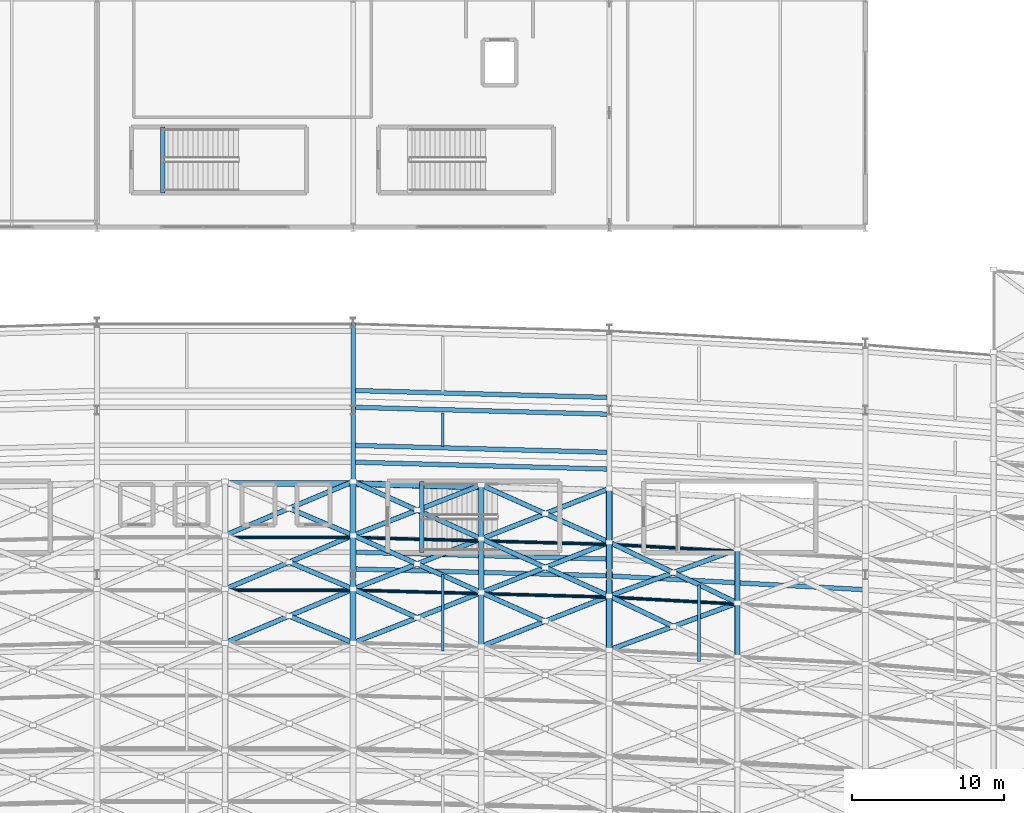
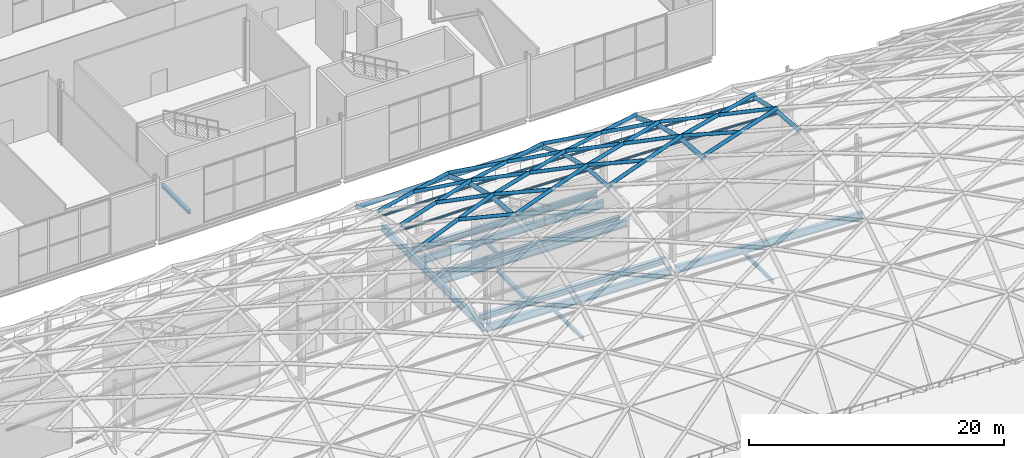
# One storey, part 36 of 100: 48 members, 13 beams.
"""IFC4 building model written with IfcOpenShell, lengths in metres."""

from ifc_helpers import new_model, si_unit, direction, frame, origin, origin_2d, place, context, subcontext, project, spatial, hollow_circle, i_section, extrude, material, material_profile, profile_set, type_object, element, save


model = new_model("IFC4")

# Units and contexts
model_context = context("Model", 3, precision=1e-05, world=origin(), true_north=direction((0.0, 1.0)))
body_context = subcontext(model_context, "Body", "Model", "MODEL_VIEW")
ifc_project = project(units=[si_unit("LENGTHUNIT", "METRE"), si_unit("AREAUNIT", "SQUARE_METRE"), si_unit("VOLUMEUNIT", "CUBIC_METRE"), si_unit("PLANEANGLEUNIT", "RADIAN"), si_unit("MASSUNIT", "GRAM", prefix="KILO")], contexts=[model_context])

# Site, building, storey
site_placement = place(None, origin())
site = spatial("IfcSite", under=ifc_project, at=site_placement, CompositionType="ELEMENT")
building_placement = place(site_placement, origin())
building = spatial("IfcBuilding", under=site, at=building_placement, Name="Kimbaza Rail Terminus", CompositionType="ELEMENT")
storey_placement = place(building_placement, frame((0.0, 0.0, 10.800048828125)))
storey = spatial("IfcBuildingStorey", under=building, at=storey_placement, Name="L02", CompositionType="ELEMENT", Elevation=10.800048828125)

# Beams
ifc_material_1 = material(Name="Steel S355", Category="steel")
ifc_material_profile_1 = material_profile(ifc_material_1, i_section(OverallWidth=0.300048828125, OverallDepth=0.2900390625, WebThickness=0.008544921875, FlangeThickness=0.013916015625, FilletRadius=0.027099609375, at=origin_2d()), Name="HEA 300")
ifc_profile_set_1 = profile_set([ifc_material_profile_1], Name="Steel S355")
beam_type_1 = type_object("IfcBeamType", Name="STR-BM-HEA300", PredefinedType="SPANDREL", material=ifc_profile_set_1)
beam_1_placement = place(storey_placement, frame((109.919921875, 105.260009765625, -0.385009765625), z_axis=(0.0, 1.0, 0.0), x_axis=(-1.0, 0.0, 0.0)))
element("IfcBeam", 1, at=beam_1_placement, inside=storey, type_object=beam_type_1, Name="Operations Central Exit Stair Landing Trimmer Beam L02", PredefinedType="SPANDREL", context=body_context, shape_type="SweptSolid", body=[
    extrude(i_section(OverallWidth=0.300048828125, OverallDepth=0.2900390625, WebThickness=0.008544921875, FlangeThickness=0.013916015625, FilletRadius=0.027099609375, at=origin_2d()), origin(), (0.0, 0.0, 1.0), 4.320068359375),
])
beam_2_placement = place(storey_placement, frame((126.89990234375, 81.659912109375, -0.405029296875), z_axis=(0.0, 1.0, 0.0), x_axis=(-1.0, 0.0, 0.0)))
element("IfcBeam", 2, at=beam_2_placement, inside=storey, type_object=beam_type_1, Name="Footbridge East Platform Stair Landing Trimmer Beam L02", PredefinedType="SPANDREL", context=body_context, shape_type="SweptSolid", body=[
    extrude(i_section(OverallWidth=0.300048828125, OverallDepth=0.2900390625, WebThickness=0.008544921875, FlangeThickness=0.013916015625, FilletRadius=0.027099609375, at=origin_2d()), origin(), (0.0, 0.0, 1.0), 4.68017578125),
])
ifc_material_2 = material(Name="Steel S355", Category="steel")
ifc_material_profile_2 = material_profile(ifc_material_2, i_section(OverallWidth=0.300048828125, OverallDepth=0.64990234375, WebThickness=0.01611328125, FlangeThickness=0.031005859375, FilletRadius=0.027099609375, at=origin_2d()), Name="HEB 650")
ifc_profile_set_2 = profile_set([ifc_material_profile_2], Name="Steel S355")
beam_type_2 = type_object("IfcBeamType", Name="STR-BM-HEB650", PredefinedType="USERDEFINED", material=ifc_profile_set_2)
for number, where, z_axis, x_axis, name in (
    (3, (122.544921875, 81.689208984375, -0.5849609375), (0.999632852013, -0.027095408765, 0.0), (0.027095408765, 0.999632852013, 0.0), "Viaduct Chorded Girder P3 Bay 07"),
    (4, (122.544921875, 87.589111328125, -0.5849609375), (0.999632852013, -0.027095408765, 0.0), (0.027095408765, 0.999632852013, 0.0), "Viaduct Chorded Girder P3 Bay 07"),
    (5, (122.544921875, 92.2890625, -0.5849609375), (0.999632852013, -0.027095408765, 0.0), (0.027095408765, 0.999632852013, 0.0), "Viaduct Chorded Girder P4 Bay 07"),
):
    element("IfcBeam", number, at=place(storey_placement, frame(where, z_axis=z_axis, x_axis=x_axis)), inside=storey, type_object=beam_type_2, Name=name, ObjectType="GIRDER", PredefinedType="USERDEFINED", context=body_context, shape_type="SweptSolid", body=[
        extrude(i_section(OverallWidth=0.300048828125, OverallDepth=0.64990234375, WebThickness=0.01611328125, FlangeThickness=0.031005859375, FilletRadius=0.027099609375, at=origin_2d()), origin(), (0.0, 0.0, 1.0), 16.51611328125),
    ])
ifc_material_3 = material(Name="Steel S355", Category="steel")
ifc_material_profile_3 = material_profile(ifc_material_3, i_section(OverallWidth=0.300048828125, OverallDepth=0.699951171875, WebThickness=0.01708984375, FlangeThickness=0.031982421875, FilletRadius=0.027099609375, at=origin_2d()), Name="HEB 700")
ifc_profile_set_3 = profile_set([ifc_material_profile_3], Name="Steel S355")
beam_type_3 = type_object("IfcBeamType", Name="STR-BM-HEB700", PredefinedType="USERDEFINED", material=ifc_profile_set_3)
beam_3_placement = place(storey_placement, frame((122.39990234375, 80.697998046875, -0.920166015625), z_axis=(0.0, 1.0, 0.0), x_axis=(-1.0, 0.0, 0.0)))
element("IfcBeam", 6, at=beam_3_placement, inside=storey, type_object=beam_type_3, Name="Viaduct North Crosshead Girder VP-07", ObjectType="GIRDER", PredefinedType="USERDEFINED", context=body_context, shape_type="SweptSolid", body=[
    extrude(i_section(OverallWidth=0.300048828125, OverallDepth=0.699951171875, WebThickness=0.01708984375, FlangeThickness=0.031982421875, FilletRadius=0.027099609375, at=origin_2d()), origin(), (0.0, 0.0, 1.0), 16.045166015625),
])
for number, where, z_axis, x_axis, name in (
    (7, (122.544921875, 80.589111328125, -0.920166015625), (0.999632852013, -0.027095408765, 0.0), (0.027095408765, 0.999632852013, 0.0), "Viaduct Chorded Girder TR34 Bay 07"),
    (8, (122.544921875, 88.689208984375, -0.920166015625), (0.999632852013, -0.027095408765, 0.0), (0.027095408765, 0.999632852013, 0.0), "Viaduct Chorded Girder TR56 Bay 07"),
    (9, (122.544921875, 91.189208984375, -0.920166015625), (0.999632852013, -0.027095408765, 0.0), (0.027095408765, 0.999632852013, 0.0), "Viaduct Chorded Girder TR56 Bay 07"),
):
    element("IfcBeam", number, at=place(storey_placement, frame(where, z_axis=z_axis, x_axis=x_axis)), inside=storey, type_object=beam_type_3, Name=name, ObjectType="GIRDER", PredefinedType="USERDEFINED", context=body_context, shape_type="SweptSolid", body=[
        extrude(i_section(OverallWidth=0.300048828125, OverallDepth=0.699951171875, WebThickness=0.01708984375, FlangeThickness=0.031982421875, FilletRadius=0.027099609375, at=origin_2d()), origin(), (0.0, 0.0, 1.0), 16.51611328125),
    ])
beam_4_placement = place(storey_placement, frame((139.3447265625, 80.1298828125, -0.920166015625), z_axis=(0.998529923153, -0.054203252368, 0.0), x_axis=(0.054203252368, 0.998529923153, 0.0)))
element("IfcBeam", 10, at=beam_4_placement, inside=storey, type_object=beam_type_3, Name="Viaduct Chorded Girder TR34 Bay 08", ObjectType="GIRDER", PredefinedType="USERDEFINED", context=body_context, shape_type="SweptSolid", body=[
    extrude(i_section(OverallWidth=0.300048828125, OverallDepth=0.699951171875, WebThickness=0.01708984375, FlangeThickness=0.031982421875, FilletRadius=0.027099609375, at=origin_2d()), origin(), (0.0, 0.0, 1.0), 16.534912109375),
])
ifc_material_4 = material(Name="Steel S355", Category="steel")
ifc_material_profile_4 = material_profile(ifc_material_4, i_section(OverallWidth=0.169921875, OverallDepth=0.360107421875, WebThickness=0.008056640625, FlangeThickness=0.0126953125, FilletRadius=0.01806640625, at=origin_2d()), Name="IPE 360")
ifc_profile_set_4 = profile_set([ifc_material_profile_4], Name="Steel S355")
beam_type_4 = type_object("IfcBeamType", Name="STR-BM-IPE360", PredefinedType="JOIST", material=ifc_profile_set_4)
beam_5_placement = place(storey_placement, frame((128.280029296875, 75.21044921875, -0.75), z_axis=(0.0, 1.0, 0.0), x_axis=(-1.0, 0.0, 0.0)))
element("IfcBeam", 11, at=beam_5_placement, inside=storey, type_object=beam_type_4, Name="Viaduct Diaphragm TR34 Bay 07", PredefinedType="JOIST", context=body_context, shape_type="SweptSolid", body=[
    extrude(i_section(OverallWidth=0.169921875, OverallDepth=0.360107421875, WebThickness=0.008056640625, FlangeThickness=0.0126953125, FilletRadius=0.01806640625, at=origin_2d()), origin(), (0.0, 0.0, 1.0), 5.010009765625),
])
beam_6_placement = place(storey_placement, frame((128.280029296875, 88.6103515625, -0.75), z_axis=(0.0, 1.0, 0.0), x_axis=(-1.0, 0.0, 0.0)))
element("IfcBeam", 12, at=beam_6_placement, inside=storey, type_object=beam_type_4, Name="Viaduct Diaphragm TR56 Bay 07", PredefinedType="JOIST", context=body_context, shape_type="SweptSolid", body=[
    extrude(i_section(OverallWidth=0.169921875, OverallDepth=0.360107421875, WebThickness=0.008056640625, FlangeThickness=0.0126953125, FilletRadius=0.01806640625, at=origin_2d()), origin(), (0.0, 0.0, 1.0), 2.2099609375),
])
beam_7_placement = place(storey_placement, frame((145.080078125, 74.526611328125, -0.75), z_axis=(0.0, 1.0, 0.0), x_axis=(-1.0, 0.0, 0.0)))
element("IfcBeam", 13, at=beam_7_placement, inside=storey, type_object=beam_type_4, Name="Viaduct Diaphragm TR34 Bay 08", PredefinedType="JOIST", context=body_context, shape_type="SweptSolid", body=[
    extrude(i_section(OverallWidth=0.169921875, OverallDepth=0.360107421875, WebThickness=0.008056640625, FlangeThickness=0.0126953125, FilletRadius=0.01806640625, at=origin_2d()), origin(), (0.0, 0.0, 1.0), 5.010009765625),
])

# Members
ifc_material_5 = material(Name="White painted steel S355", Category="steel")
ifc_material_profile_5 = material_profile(ifc_material_5, hollow_circle(Radius=0.109619140625, WallThickness=0.008056640625, at=origin_2d()), Name="CHS 219.1x8")
ifc_profile_set_5 = profile_set([ifc_material_profile_5], Name="White painted steel S355")
member_type_1 = type_object("IfcMemberType", Name="STR-MB-CHS219", PredefinedType="PURLIN", material=ifc_profile_set_5)
for number, where, z_axis, x_axis, name in (
    (14, (114.0, 79.2001953125, 12.25244140625), (1.0, 0.0, 0.0), (0.0, 1.0, 0.0), "Vault lattice longitudinal purlin VR-11-VA08"),
    (15, (114.0, 82.6572265625, 11.462158203125), (1.0, 0.0, 0.0), (0.0, 1.0, 0.0), "Vault lattice longitudinal purlin VR-11-VA09"),
):
    element("IfcMember", number, at=place(storey_placement, frame(where, z_axis=z_axis, x_axis=x_axis)), inside=storey, type_object=member_type_1, Name=name, PredefinedType="PURLIN", context=body_context, shape_type="SweptSolid", body=[
        extrude(hollow_circle(Radius=0.109619140625, WallThickness=0.008056640625, at=origin_2d()), origin(), (0.0, 0.0, 1.0), 8.39990234375),
    ])
for number, where, z_axis, x_axis, name in (
    (16, (122.39990234375, 79.2001953125, 12.25244140625), (0.999632548307, -0.027106611084, 0.0), (0.027106611084, 0.999632548307, 0.0), "Vault lattice longitudinal purlin VR-12-VA08"),
    (17, (122.39990234375, 82.6572265625, 11.462158203125), (0.999632548307, -0.027106611084, 0.0), (0.027106611084, 0.999632548307, 0.0), "Vault lattice longitudinal purlin VR-12-VA09"),
):
    element("IfcMember", number, at=place(storey_placement, frame(where, z_axis=z_axis, x_axis=x_axis)), inside=storey, type_object=member_type_1, Name=name, PredefinedType="PURLIN", context=body_context, shape_type="SweptSolid", body=[
        extrude(hollow_circle(Radius=0.109619140625, WallThickness=0.008056640625, at=origin_2d()), origin(), (0.0, 0.0, 1.0), 8.4033203125),
    ])
for number, where, z_axis, x_axis, name in (
    (18, (130.800048828125, 78.972412109375, 12.25244140625), (0.999632526959, -0.027107398351, 0.0), (0.027107398351, 0.999632526959, 0.0), "Vault lattice longitudinal purlin VR-13-VA08"),
    (19, (130.800048828125, 82.429443359375, 11.462158203125), (0.999632526959, -0.027107398351, 0.0), (0.027107398351, 0.999632526959, 0.0), "Vault lattice longitudinal purlin VR-13-VA09"),
):
    element("IfcMember", number, at=place(storey_placement, frame(where, z_axis=z_axis, x_axis=x_axis)), inside=storey, type_object=member_type_1, Name=name, PredefinedType="PURLIN", context=body_context, shape_type="SweptSolid", body=[
        extrude(hollow_circle(Radius=0.109619140625, WallThickness=0.008056640625, at=origin_2d()), origin(), (0.0, 0.0, 1.0), 8.403076171875),
    ])
for number, where, z_axis, x_axis, name in (
    (20, (139.199951171875, 78.74462890625, 12.25244140625), (0.998531049137, -0.054182505558, 0.0), (0.054182505558, 0.998531049137, 0.0), "Vault lattice longitudinal purlin VR-14-VA08"),
    (21, (139.199951171875, 82.20166015625, 11.462158203125), (0.998531049137, -0.054182505558, 0.0), (0.054182505558, 0.998531049137, 0.0), "Vault lattice longitudinal purlin VR-14-VA09"),
):
    element("IfcMember", number, at=place(storey_placement, frame(where, z_axis=z_axis, x_axis=x_axis)), inside=storey, type_object=member_type_1, Name=name, PredefinedType="PURLIN", context=body_context, shape_type="SweptSolid", body=[
        extrude(hollow_circle(Radius=0.109619140625, WallThickness=0.008056640625, at=origin_2d()), origin(), (0.0, 0.0, 1.0), 8.41259765625),
    ])
ifc_material_6 = material(Name="White painted steel S355", Category="steel")
ifc_material_profile_6 = material_profile(ifc_material_6, hollow_circle(Radius=0.161865234375, WallThickness=0.010009765625, at=origin_2d()), Name="CHS 323.9x10")
ifc_profile_set_6 = profile_set([ifc_material_profile_6], Name="White painted steel S355")
member_type_2 = type_object("IfcMemberType", Name="STR-MB-CHS323", PredefinedType="STRUT", material=ifc_profile_set_6)
member_1_placement = place(storey_placement, frame((114.0, 75.7431640625, 12.97998046875), z_axis=(0.921651823609, 0.38694589874, -0.028823384357), x_axis=(-0.387106733867, 0.922034910725, 0.0)))
element("IfcMember", 22, at=member_1_placement, inside=storey, type_object=member_type_2, Name="Vault lattice diagonal A VR-11-VA07", PredefinedType="STRUT", context=body_context, shape_type="SweptSolid", body=[
    extrude(hollow_circle(Radius=0.161865234375, WallThickness=0.010009765625, at=origin_2d()), origin(), (0.0, 0.0, 1.0), 9.114013671875),
])
member_2_placement = place(storey_placement, frame((122.39990234375, 75.7431640625, 12.97998046875), z_axis=(-0.921661376649, 0.386923121674, -0.028823683116), x_axis=(-0.38708395067, -0.922044475681, 0.0)))
element("IfcMember", 23, at=member_2_placement, inside=storey, type_object=member_type_2, Name="Vault lattice diagonal B1 VR-11-VA07", PredefinedType="STRUT", context=body_context, shape_type="SweptSolid", body=[
    extrude(hollow_circle(Radius=0.161865234375, WallThickness=0.010009765625, at=origin_2d()), origin(), (0.0, 0.0, 1.0), 4.556884765625),
])
member_3_placement = place(storey_placement, frame((114.0, 79.269775390625, 12.71728515625), z_axis=(0.918446051107, 0.385599988614, -0.088144767214), x_axis=(-0.387106733867, 0.922034910725, 0.0)))
element("IfcMember", 24, at=member_3_placement, inside=storey, type_object=member_type_2, Name="Vault lattice diagonal A VR-11-VA08", PredefinedType="STRUT", context=body_context, shape_type="SweptSolid", body=[
    extrude(hollow_circle(Radius=0.161865234375, WallThickness=0.010009765625, at=origin_2d()), origin(), (0.0, 0.0, 1.0), 9.145751953125),
])
member_4_placement = place(storey_placement, frame((122.39990234375, 79.269775390625, 12.71728515625), z_axis=(-0.918455504807, 0.385577263019, -0.088145674501), x_axis=(-0.38708395067, -0.922044475681, 0.0)))
element("IfcMember", 25, at=member_4_placement, inside=storey, type_object=member_type_2, Name="Vault lattice diagonal B1 VR-11-VA08", PredefinedType="STRUT", context=body_context, shape_type="SweptSolid", body=[
    extrude(hollow_circle(Radius=0.161865234375, WallThickness=0.010009765625, at=origin_2d()), origin(), (0.0, 0.0, 1.0), 4.57275390625),
])
member_5_placement = place(storey_placement, frame((114.0, 82.79638671875, 11.9111328125), z_axis=(0.911165232301, 0.382543212829, -0.153096733358), x_axis=(-0.387106733867, 0.922034910725, 0.0)))
element("IfcMember", 26, at=member_5_placement, inside=storey, type_object=member_type_2, Name="Vault lattice diagonal A VR-11-VA09", PredefinedType="STRUT", context=body_context, shape_type="SweptSolid", body=[
    extrude(hollow_circle(Radius=0.161865234375, WallThickness=0.010009765625, at=origin_2d()), origin(), (0.0, 0.0, 1.0), 9.21875),
])
member_6_placement = place(storey_placement, frame((122.39990234375, 82.79638671875, 11.9111328125), z_axis=(-0.911159695133, 0.382567370688, -0.153069320405), x_axis=(-0.387129516355, -0.922025345404, 0.0)))
element("IfcMember", 27, at=member_6_placement, inside=storey, type_object=member_type_2, Name="Vault lattice diagonal B1 VR-11-VA09", PredefinedType="STRUT", context=body_context, shape_type="SweptSolid", body=[
    extrude(hollow_circle(Radius=0.161865234375, WallThickness=0.010009765625, at=origin_2d()), origin(), (0.0, 0.0, 1.0), 4.609375),
])
member_7_placement = place(storey_placement, frame((122.39990234375, 75.7431640625, 12.97998046875), z_axis=(0.930403762841, 0.365379592627, -0.029096243463), x_axis=(-0.365534354506, 0.930797848985, 0.0)))
element("IfcMember", 28, at=member_7_placement, inside=storey, type_object=member_type_2, Name="Vault lattice diagonal A VR-12-VA07", PredefinedType="STRUT", context=body_context, shape_type="SweptSolid", body=[
    extrude(hollow_circle(Radius=0.161865234375, WallThickness=0.010009765625, at=origin_2d()), origin(), (0.0, 0.0, 1.0), 9.028564453125),
])
member_8_placement = place(storey_placement, frame((126.60009765625, 77.392578125, 12.8486328125), z_axis=(-0.912595216469, 0.407867043678, -0.028538492587), x_axis=(-0.408033237953, -0.912967073188, 0.0)))
element("IfcMember", 29, at=member_8_placement, inside=storey, type_object=member_type_2, Name="Vault lattice diagonal B2 VR-12-VA07", PredefinedType="STRUT", context=body_context, shape_type="SweptSolid", body=[
    extrude(hollow_circle(Radius=0.161865234375, WallThickness=0.010009765625, at=origin_2d()), origin(), (0.0, 0.0, 1.0), 4.6025390625),
])
member_9_placement = place(storey_placement, frame((122.39990234375, 79.269775390625, 12.71728515625), z_axis=(0.927106313611, 0.364084648749, -0.088973320764), x_axis=(-0.365534354506, 0.930797848985, 0.0)))
element("IfcMember", 30, at=member_9_placement, inside=storey, type_object=member_type_2, Name="Vault lattice diagonal A VR-12-VA08", PredefinedType="STRUT", context=body_context, shape_type="SweptSolid", body=[
    extrude(hollow_circle(Radius=0.161865234375, WallThickness=0.010009765625, at=origin_2d()), origin(), (0.0, 0.0, 1.0), 9.060546875),
])
member_10_placement = place(storey_placement, frame((130.800048828125, 79.0419921875, 12.71728515625), z_axis=(-0.909473927831, 0.406495671167, -0.087283697893), x_axis=(-0.408053007434, -0.912958237338, 0.0)))
element("IfcMember", 31, at=member_10_placement, inside=storey, type_object=member_type_2, Name="Vault lattice diagonal B1 VR-12-VA08", PredefinedType="STRUT", context=body_context, shape_type="SweptSolid", body=[
    extrude(hollow_circle(Radius=0.161865234375, WallThickness=0.010009765625, at=origin_2d()), origin(), (0.0, 0.0, 1.0), 4.617919921875),
])
member_11_placement = place(storey_placement, frame((126.60009765625, 80.919189453125, 12.314208984375), z_axis=(-0.909483065642, 0.406476127163, -0.087279501359), x_axis=(-0.408033237953, -0.912967073188, 0.0)))
element("IfcMember", 32, at=member_11_placement, inside=storey, type_object=member_type_2, Name="Vault lattice diagonal B2 VR-12-VA08", PredefinedType="STRUT", context=body_context, shape_type="SweptSolid", body=[
    extrude(hollow_circle(Radius=0.161865234375, WallThickness=0.010009765625, at=origin_2d()), origin(), (0.0, 0.0, 1.0), 4.6181640625),
])
member_12_placement = place(storey_placement, frame((122.39990234375, 82.79638671875, 11.9111328125), z_axis=(0.91961082398, 0.361167816562, -0.154511296347), x_axis=(-0.365557792091, 0.930788644452, 0.0)))
element("IfcMember", 33, at=member_12_placement, inside=storey, type_object=member_type_2, Name="Vault lattice diagonal A VR-12-VA09", PredefinedType="STRUT", context=body_context, shape_type="SweptSolid", body=[
    extrude(hollow_circle(Radius=0.161865234375, WallThickness=0.010009765625, at=origin_2d()), origin(), (0.0, 0.0, 1.0), 9.134521484375),
])
member_13_placement = place(storey_placement, frame((130.800048828125, 82.568603515625, 11.9111328125), z_axis=(-0.902406364083, 0.4033367746, -0.151598813707), x_axis=(-0.408053007434, -0.912958237338, 0.0)))
element("IfcMember", 34, at=member_13_placement, inside=storey, type_object=member_type_2, Name="Vault lattice diagonal B1 VR-12-VA09", PredefinedType="STRUT", context=body_context, shape_type="SweptSolid", body=[
    extrude(hollow_circle(Radius=0.161865234375, WallThickness=0.010009765625, at=origin_2d()), origin(), (0.0, 0.0, 1.0), 4.654052734375),
])
member_14_placement = place(storey_placement, frame((126.60009765625, 84.44580078125, 11.20556640625), z_axis=(-0.902408925803, 0.403314475151, -0.151642885637), x_axis=(-0.408033237953, -0.912967073188, 0.0)))
element("IfcMember", 35, at=member_14_placement, inside=storey, type_object=member_type_2, Name="Vault lattice diagonal B2 VR-12-VA09", PredefinedType="STRUT", context=body_context, shape_type="SweptSolid", body=[
    extrude(hollow_circle(Radius=0.161865234375, WallThickness=0.010009765625, at=origin_2d()), origin(), (0.0, 0.0, 1.0), 4.654541015625),
])
member_15_placement = place(storey_placement, frame((130.800048828125, 75.515380859375, 12.97998046875), z_axis=(0.930400129761, 0.365388785483, -0.029096975517), x_axis=(-0.365543559049, 0.93079423421, 0.0)))
element("IfcMember", 36, at=member_15_placement, inside=storey, type_object=member_type_2, Name="Vault lattice diagonal A VR-13-VA07", PredefinedType="STRUT", context=body_context, shape_type="SweptSolid", body=[
    extrude(hollow_circle(Radius=0.161865234375, WallThickness=0.010009765625, at=origin_2d()), origin(), (0.0, 0.0, 1.0), 9.0283203125),
])
member_16_placement = place(storey_placement, frame((135.0, 77.164794921875, 12.8486328125), z_axis=(-0.912586348206, 0.407886789011, -0.028539874169), x_axis=(-0.408053007434, -0.912958237338, 0.0)))
element("IfcMember", 37, at=member_16_placement, inside=storey, type_object=member_type_2, Name="Vault lattice diagonal B2 VR-13-VA07", PredefinedType="STRUT", context=body_context, shape_type="SweptSolid", body=[
    extrude(hollow_circle(Radius=0.161865234375, WallThickness=0.010009765625, at=origin_2d()), origin(), (0.0, 0.0, 1.0), 4.602294921875),
])
member_17_placement = place(storey_placement, frame((130.800048828125, 79.0419921875, 12.71728515625), z_axis=(0.927093432491, 0.364117117748, -0.088974670525), x_axis=(-0.365566997042, 0.930785029249, 0.0)))
element("IfcMember", 38, at=member_17_placement, inside=storey, type_object=member_type_2, Name="Vault lattice diagonal A VR-13-VA08", PredefinedType="STRUT", context=body_context, shape_type="SweptSolid", body=[
    extrude(hollow_circle(Radius=0.161865234375, WallThickness=0.010009765625, at=origin_2d()), origin(), (0.0, 0.0, 1.0), 9.060546875),
])
for number, where, z_axis, x_axis, name in (
    (39, (139.199951171875, 78.814208984375, 12.71728515625), (-0.909473927831, 0.406495671167, -0.087283697893), (-0.408053007434, -0.912958237338, 0.0), "Vault lattice diagonal B1 VR-13-VA08"),
    (40, (135.0, 80.69140625, 12.314208984375), (-0.909473927831, 0.406495671167, -0.087283697893), (-0.408053007434, -0.912958237338, 0.0), "Vault lattice diagonal B2 VR-13-VA08"),
):
    element("IfcMember", number, at=place(storey_placement, frame(where, z_axis=z_axis, x_axis=x_axis)), inside=storey, type_object=member_type_2, Name=name, PredefinedType="STRUT", context=body_context, shape_type="SweptSolid", body=[
        extrude(hollow_circle(Radius=0.161865234375, WallThickness=0.010009765625, at=origin_2d()), origin(), (0.0, 0.0, 1.0), 4.617919921875),
    ])
member_18_placement = place(storey_placement, frame((130.800048828125, 82.568603515625, 11.9111328125), z_axis=(0.919606699359, 0.361176693845, -0.15451509414), x_axis=(-0.365566997042, 0.930785029249, 0.0)))
element("IfcMember", 41, at=member_18_placement, inside=storey, type_object=member_type_2, Name="Vault lattice diagonal A VR-13-VA09", PredefinedType="STRUT", context=body_context, shape_type="SweptSolid", body=[
    extrude(hollow_circle(Radius=0.161865234375, WallThickness=0.010009765625, at=origin_2d()), origin(), (0.0, 0.0, 1.0), 9.13427734375),
])
member_19_placement = place(storey_placement, frame((139.199951171875, 82.341064453125, 11.9111328125), z_axis=(-0.902406364083, 0.4033367746, -0.151598813707), x_axis=(-0.408053007434, -0.912958237338, 0.0)))
element("IfcMember", 42, at=member_19_placement, inside=storey, type_object=member_type_2, Name="Vault lattice diagonal B1 VR-13-VA09", PredefinedType="STRUT", context=body_context, shape_type="SweptSolid", body=[
    extrude(hollow_circle(Radius=0.161865234375, WallThickness=0.010009765625, at=origin_2d()), origin(), (0.0, 0.0, 1.0), 4.654052734375),
])
member_20_placement = place(storey_placement, frame((135.0, 84.21826171875, 11.20556640625), z_axis=(-0.902399186705, 0.40333356662, -0.15165006387), x_axis=(-0.408053007434, -0.912958237338, 0.0)))
element("IfcMember", 43, at=member_20_placement, inside=storey, type_object=member_type_2, Name="Vault lattice diagonal B2 VR-13-VA09", PredefinedType="STRUT", context=body_context, shape_type="SweptSolid", body=[
    extrude(hollow_circle(Radius=0.161865234375, WallThickness=0.010009765625, at=origin_2d()), origin(), (0.0, 0.0, 1.0), 4.654296875),
])
member_21_placement = place(storey_placement, frame((139.199951171875, 75.28759765625, 12.97998046875), z_axis=(0.938805391993, 0.343194530778, -0.029358985142), x_axis=(-0.343342534729, 0.939210255399, 0.0)))
element("IfcMember", 44, at=member_21_placement, inside=storey, type_object=member_type_2, Name="Vault lattice diagonal A VR-14-VA07", PredefinedType="STRUT", context=body_context, shape_type="SweptSolid", body=[
    extrude(hollow_circle(Radius=0.161865234375, WallThickness=0.010009765625, at=origin_2d()), origin(), (0.0, 0.0, 1.0), 8.94775390625),
])
member_22_placement = place(storey_placement, frame((143.39990234375, 76.822998046875, 12.8486328125), z_axis=(-0.903230698103, 0.428224703466, -0.028247289169), x_axis=(-0.428395648018, -0.903591261998, 0.0)))
element("IfcMember", 45, at=member_22_placement, inside=storey, type_object=member_type_2, Name="Vault lattice diagonal B2 VR-14-VA07", PredefinedType="STRUT", context=body_context, shape_type="SweptSolid", body=[
    extrude(hollow_circle(Radius=0.161865234375, WallThickness=0.010009765625, at=origin_2d()), origin(), (0.0, 0.0, 1.0), 4.64990234375),
])
member_23_placement = place(storey_placement, frame((139.199951171875, 78.814208984375, 12.71728515625), z_axis=(0.935418131197, 0.341956266289, -0.089770996286), x_axis=(-0.343342534729, 0.939210255399, 0.0)))
element("IfcMember", 46, at=member_23_placement, inside=storey, type_object=member_type_2, Name="Vault lattice diagonal A VR-14-VA08", PredefinedType="STRUT", context=body_context, shape_type="SweptSolid", body=[
    extrude(hollow_circle(Radius=0.161865234375, WallThickness=0.010009765625, at=origin_2d()), origin(), (0.0, 0.0, 1.0), 8.97998046875),
])
member_24_placement = place(storey_placement, frame((147.60009765625, 78.3583984375, 12.71728515625), z_axis=(-0.900222630597, 0.426773760471, -0.086390813945), x_axis=(-0.42837531665, -0.903600900888, 0.0)))
element("IfcMember", 47, at=member_24_placement, inside=storey, type_object=member_type_2, Name="Vault lattice diagonal B1 VR-14-VA08", PredefinedType="STRUT", context=body_context, shape_type="SweptSolid", body=[
    extrude(hollow_circle(Radius=0.161865234375, WallThickness=0.010009765625, at=origin_2d()), origin(), (0.0, 0.0, 1.0), 4.665771484375),
])
member_25_placement = place(storey_placement, frame((143.39990234375, 80.349609375, 12.314208984375), z_axis=(-0.900192603293, 0.426836660179, -0.086392954022), x_axis=(-0.428438532209, -0.903570929213, 0.0)))
element("IfcMember", 48, at=member_25_placement, inside=storey, type_object=member_type_2, Name="Vault lattice diagonal B2 VR-14-VA08", PredefinedType="STRUT", context=body_context, shape_type="SweptSolid", body=[
    extrude(hollow_circle(Radius=0.161865234375, WallThickness=0.010009765625, at=origin_2d()), origin(), (0.0, 0.0, 1.0), 4.66552734375),
])
ifc_material_7 = material(Name="White painted steel S355", Category="steel")
ifc_material_profile_7 = material_profile(ifc_material_7, hollow_circle(Radius=0.177734375, WallThickness=0.012451171875, at=origin_2d()), Name="CHS 355.6x12.5")
ifc_profile_set_7 = profile_set([ifc_material_profile_7], Name="White painted steel S355")
member_type_3 = type_object("IfcMemberType", Name="STR-MB-CHS355", PredefinedType="CHORD", material=ifc_profile_set_7)
member_26_placement = place(storey_placement, frame((130.800048828125, 75.515380859375, 12.679931640625), z_axis=(0.0, 0.997239447362, -0.074252842537), x_axis=(-1.0, 0.0, 0.0)))
element("IfcMember", 49, at=member_26_placement, inside=storey, type_object=member_type_3, Name="Vault lattice arch chord VR-13 seg 8", PredefinedType="CHORD", context=body_context, shape_type="SweptSolid", body=[
    extrude(hollow_circle(Radius=0.177734375, WallThickness=0.012451171875, at=origin_2d()), origin(), (0.0, 0.0, 1.0), 3.49169921875),
])
member_27_placement = place(storey_placement, frame((130.800048828125, 78.99755859375, 12.420654296875), z_axis=(0.0, 0.974845354939, -0.22288233208), x_axis=(-1.0, 0.0, 0.0)))
element("IfcMember", 50, at=member_27_placement, inside=storey, type_object=member_type_3, Name="Vault lattice arch chord VR-13 seg 9", PredefinedType="CHORD", context=body_context, shape_type="SweptSolid", body=[
    extrude(hollow_circle(Radius=0.177734375, WallThickness=0.012451171875, at=origin_2d()), origin(), (0.0, 0.0, 1.0), 3.572021484375),
])
member_28_placement = place(storey_placement, frame((130.800048828125, 82.479736328125, 11.62451171875), z_axis=(0.0, 0.928422814748, -0.371525338375), x_axis=(-1.0, 0.0, 0.0)))
element("IfcMember", 51, at=member_28_placement, inside=storey, type_object=member_type_3, Name="Vault lattice arch chord VR-13 seg 10", PredefinedType="CHORD", context=body_context, shape_type="SweptSolid", body=[
    extrude(hollow_circle(Radius=0.177734375, WallThickness=0.012451171875, at=origin_2d()), origin(), (0.0, 0.0, 1.0), 3.7509765625),
])
member_29_placement = place(storey_placement, frame((147.60009765625, 74.831787109375, 12.679931640625), z_axis=(0.0, 0.997239447362, -0.074252842537), x_axis=(-1.0, 0.0, 0.0)))
element("IfcMember", 52, at=member_29_placement, inside=storey, type_object=member_type_3, Name="Vault lattice arch chord VR-15 seg 8", PredefinedType="CHORD", context=body_context, shape_type="SweptSolid", body=[
    extrude(hollow_circle(Radius=0.177734375, WallThickness=0.012451171875, at=origin_2d()), origin(), (0.0, 0.0, 1.0), 3.49169921875),
])
member_30_placement = place(storey_placement, frame((147.60009765625, 78.31396484375, 12.420654296875), z_axis=(0.0, 0.974845354939, -0.22288233208), x_axis=(-1.0, 0.0, 0.0)))
element("IfcMember", 53, at=member_30_placement, inside=storey, type_object=member_type_3, Name="Vault lattice arch chord VR-15 seg 9", PredefinedType="CHORD", context=body_context, shape_type="SweptSolid", body=[
    extrude(hollow_circle(Radius=0.177734375, WallThickness=0.012451171875, at=origin_2d()), origin(), (0.0, 0.0, 1.0), 3.572021484375),
])
ifc_material_8 = material(Name="White painted steel S355", Category="steel")
ifc_material_profile_8 = material_profile(ifc_material_8, hollow_circle(Radius=0.203125, WallThickness=0.01416015625, at=origin_2d()), Name="CHS 406.4x14.2")
ifc_profile_set_8 = profile_set([ifc_material_profile_8], Name="White painted steel S355")
member_type_4 = type_object("IfcMemberType", Name="STR-MB-CHS406", PredefinedType="CHORD", material=ifc_profile_set_8)
member_31_placement = place(storey_placement, frame((122.39990234375, 75.7431640625, 12.679931640625), z_axis=(0.0, 0.997239447362, -0.074252842537), x_axis=(-1.0, 0.0, 0.0)))
element("IfcMember", 54, at=member_31_placement, inside=storey, type_object=member_type_4, Name="Vault lattice arch chord VR-12 seg 8", PredefinedType="CHORD", context=body_context, shape_type="SweptSolid", body=[
    extrude(hollow_circle(Radius=0.203125, WallThickness=0.01416015625, at=origin_2d()), origin(), (0.0, 0.0, 1.0), 3.49169921875),
])
member_32_placement = place(storey_placement, frame((122.39990234375, 79.225341796875, 12.420654296875), z_axis=(0.0, 0.974845354939, -0.22288233208), x_axis=(-1.0, 0.0, 0.0)))
element("IfcMember", 55, at=member_32_placement, inside=storey, type_object=member_type_4, Name="Vault lattice arch chord VR-12 seg 9", PredefinedType="CHORD", context=body_context, shape_type="SweptSolid", body=[
    extrude(hollow_circle(Radius=0.203125, WallThickness=0.01416015625, at=origin_2d()), origin(), (0.0, 0.0, 1.0), 3.572021484375),
])
member_33_placement = place(storey_placement, frame((122.39990234375, 82.70751953125, 11.62451171875), z_axis=(0.0, 0.928413829694, -0.37154779078), x_axis=(-1.0, 0.0, 0.0)))
element("IfcMember", 56, at=member_33_placement, inside=storey, type_object=member_type_4, Name="Vault lattice arch chord VR-12 seg 10", PredefinedType="CHORD", context=body_context, shape_type="SweptSolid", body=[
    extrude(hollow_circle(Radius=0.203125, WallThickness=0.01416015625, at=origin_2d()), origin(), (0.0, 0.0, 1.0), 3.750732421875),
])
member_34_placement = place(storey_placement, frame((139.199951171875, 75.28759765625, 12.679931640625), z_axis=(0.0, 0.997239447362, -0.074252842537), x_axis=(-1.0, 0.0, 0.0)))
element("IfcMember", 57, at=member_34_placement, inside=storey, type_object=member_type_4, Name="Vault lattice arch chord VR-14 seg 8", PredefinedType="CHORD", context=body_context, shape_type="SweptSolid", body=[
    extrude(hollow_circle(Radius=0.203125, WallThickness=0.01416015625, at=origin_2d()), origin(), (0.0, 0.0, 1.0), 3.49169921875),
])
member_35_placement = place(storey_placement, frame((139.199951171875, 78.769775390625, 12.420654296875), z_axis=(0.0, 0.974848749884, -0.22286748271), x_axis=(-1.0, 0.0, 0.0)))
element("IfcMember", 58, at=member_35_placement, inside=storey, type_object=member_type_4, Name="Vault lattice arch chord VR-14 seg 9", PredefinedType="CHORD", context=body_context, shape_type="SweptSolid", body=[
    extrude(hollow_circle(Radius=0.203125, WallThickness=0.01416015625, at=origin_2d()), origin(), (0.0, 0.0, 1.0), 3.572265625),
])
member_36_placement = place(storey_placement, frame((139.199951171875, 82.252197265625, 11.62451171875), z_axis=(0.0, 0.928413829694, -0.37154779078), x_axis=(-1.0, 0.0, 0.0)))
element("IfcMember", 59, at=member_36_placement, inside=storey, type_object=member_type_4, Name="Vault lattice arch chord VR-14 seg 10", PredefinedType="CHORD", context=body_context, shape_type="SweptSolid", body=[
    extrude(hollow_circle(Radius=0.203125, WallThickness=0.01416015625, at=origin_2d()), origin(), (0.0, 0.0, 1.0), 3.750732421875),
])
member_37_placement = place(storey_placement, frame((114.0, 86.189697265625, 10.23095703125), z_axis=(1.0, 0.0, 0.0), x_axis=(0.0, 1.0, 0.0)))
element("IfcMember", 60, at=member_37_placement, inside=storey, type_object=member_type_4, Name="Vault lattice springing ring chord VR-11", PredefinedType="CHORD", context=body_context, shape_type="SweptSolid", body=[
    extrude(hollow_circle(Radius=0.203125, WallThickness=0.01416015625, at=origin_2d()), origin(), (0.0, 0.0, 1.0), 8.39990234375),
])
member_38_placement = place(storey_placement, frame((122.39990234375, 86.189697265625, 10.23095703125), z_axis=(0.99963333513, -0.027077579223, 0.0), x_axis=(0.027077579223, 0.99963333513, 0.0)))
element("IfcMember", 61, at=member_38_placement, inside=storey, type_object=member_type_4, Name="Vault lattice springing ring chord VR-12", PredefinedType="CHORD", context=body_context, shape_type="SweptSolid", body=[
    extrude(hollow_circle(Radius=0.203125, WallThickness=0.01416015625, at=origin_2d()), origin(), (0.0, 0.0, 1.0), 8.4033203125),
])

save(model, "model.ifc")
